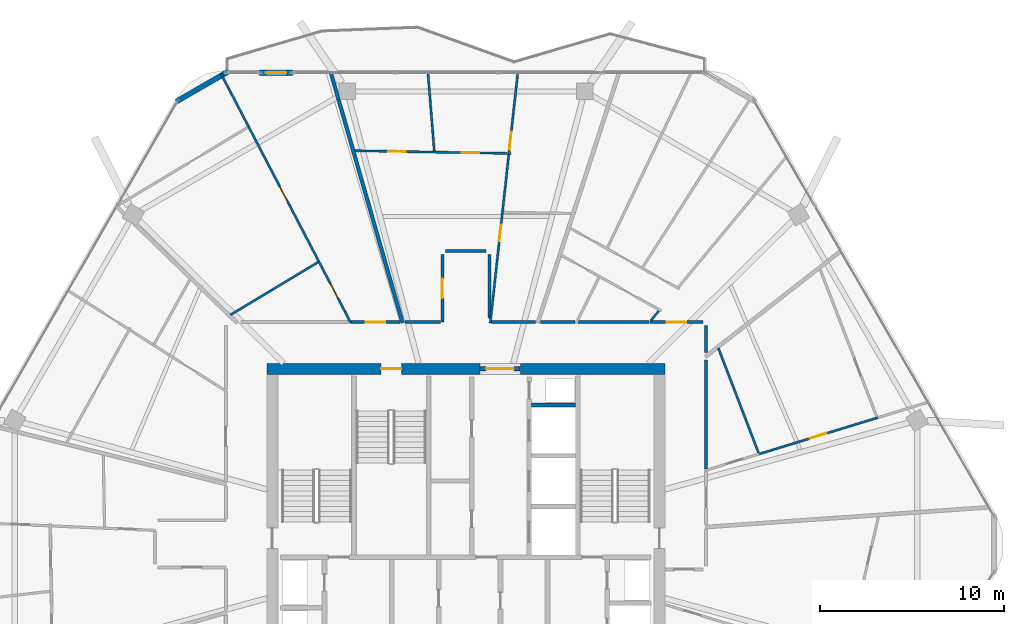
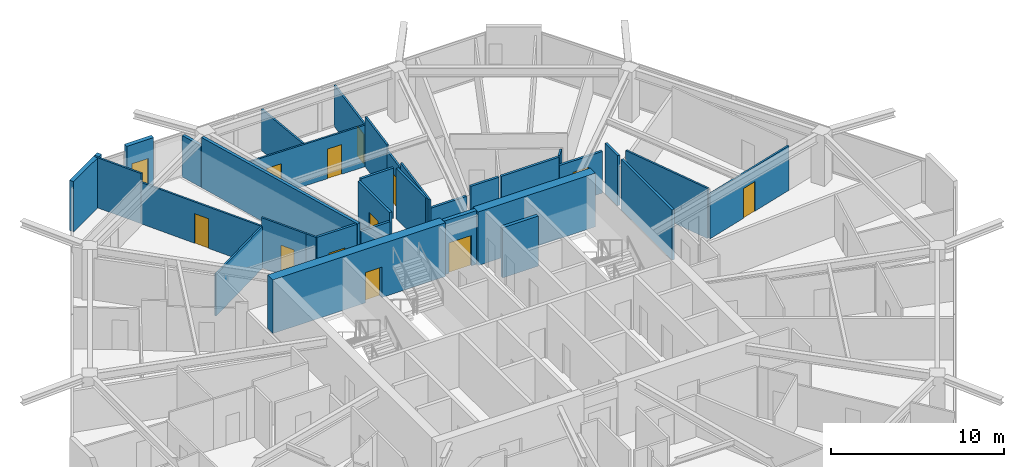
# One storey, part 23 of 26: 33 walls, 13 doors, 13 openings.
"""IFC4 building model written with IfcOpenShell, lengths in metres."""

from ifc_helpers import new_model, si_unit, direction, frame, frame_2d, origin, place, context, subcontext, project, spatial, rectangle, extrude, material, layer, layer_set, type_object, element, fill, save


model = new_model("IFC4")

# Units and contexts
model_context = context("Model", 3, precision=1e-05, world=origin(), true_north=direction((0.0, 1.0)))
body_context = subcontext(model_context, "Body", "Model", "MODEL_VIEW")
ifc_project = project(units=[si_unit("LENGTHUNIT", "METRE"), si_unit("AREAUNIT", "SQUARE_METRE"), si_unit("VOLUMEUNIT", "CUBIC_METRE"), si_unit("PLANEANGLEUNIT", "RADIAN"), si_unit("MASSUNIT", "GRAM", prefix="KILO")], contexts=[model_context])

# Site, building, storey
site_placement = place(None, origin())
site = spatial("IfcSite", under=ifc_project, at=site_placement, CompositionType="ELEMENT")
building_placement = place(site_placement, origin())
building = spatial("IfcBuilding", under=site, at=building_placement, Name="Zuhravey Tower", CompositionType="ELEMENT")
storey_placement = place(building_placement, frame((0.0, 0.0, 242.60009765625)))
storey = spatial("IfcBuildingStorey", under=building, at=storey_placement, Name="L61", CompositionType="ELEMENT", Elevation=242.60009765625)

# Wall
ifc_material_1 = material(Name="Concrete C50/60", Category="concrete")
ifc_layer_1 = layer(ifc_material_1, 0.60009765625)
ifc_layer_set_1 = layer_set([ifc_layer_1], Name="Concrete C50/60")
wall_type_1 = type_object("IfcWallType", Name="Core Shear Wall 600", PredefinedType="SHEAR", material=ifc_layer_set_1)
wall_1_placement = place(storey_placement, frame((46.800048828125, 41.5, 0.0), z_axis=(0.0, 0.0, 1.0), x_axis=(-1.0, 0.0, 0.0)))
element("IfcWall", 1, at=wall_1_placement, inside=storey, type_object=wall_type_1, Name="L61 North-East Core Shear Wall CW60", PredefinedType="SHEAR", context=body_context, shape_type="SweptSolid", body=[
    extrude(rectangle(XDim=7.85009765625, YDim=0.60009765625, at=frame_2d((3.925048828125, 0.0))), origin(), (0.0, 0.0, 1.0), 3.7998046875),
])

# Wall, opening, door
wall_2_placement = place(storey_placement, frame((36.75, 41.5, 0.0), z_axis=(0.0, 0.0, 1.0), x_axis=(-1.0, 0.0, 0.0)))
wall_2 = element("IfcWall", 2, at=wall_2_placement, inside=storey, type_object=wall_type_1, Name="L61 North-West Core Shear Wall CW60", PredefinedType="SHEAR", context=body_context, shape_type="SweptSolid", body=[
    extrude(rectangle(XDim=11.550048828125, YDim=0.60009765625, at=frame_2d((5.77490234375, 0.0))), origin(), (0.0, 0.0, 1.0), 3.7998046875),
])
opening_1_placement = place(wall_2_placement, frame((4.25, 0.0, 0.0)))
opening_1 = element("IfcOpeningElement", 3, at=opening_1_placement, cuts=wall_2, Name="Opening STD1", PredefinedType="OPENING", context=body_context, shape_type="SweptSolid", body=[
    extrude(rectangle(XDim=1.10009765625, YDim=2.14990234375, at=frame_2d((0.550048828125, 1.074951171875))), frame((0.0, 0.31201171875, 0.0), z_axis=(0.0, -1.0, 0.0), x_axis=(1.0, 0.0, 0.0)), (0.0, 0.0, 1.0), 0.6240234375),
])
ifc_material_2 = material(Name="Galvanised fire-rated steel leaf", Category="steel")
door_type_1 = type_object("IfcDoorType", Name="Protected Stair Fire Door 1100x2150", OperationType="NOTDEFINED", PredefinedType="USERDEFINED", material=ifc_material_2)
door_1_placement = place(opening_1_placement, origin())
door_1 = element("IfcDoor", 4, at=door_1_placement, inside=storey, type_object=door_type_1, Name="L61 Stair ST3 Door", ObjectType="EXITDOOR", OperationType="SINGLE_SWING_RIGHT", OverallHeight=2.14990234375, OverallWidth=1.10009765625, PredefinedType="USERDEFINED", context=body_context, shape_type="SweptSolid", body=[
    extrude(rectangle(XDim=1.10009765625, YDim=2.14990234375, at=frame_2d((0.550048828125, 1.074951171875))), frame((0.0, 0.02490234375, 0.0), z_axis=(0.0, -1.0, 0.0), x_axis=(1.0, 0.0, 0.0)), (0.0, 0.0, 1.0), 0.050048828125),
])
fill(opening_1, door_1)

ifc_material_3 = material(Name="Gypsum fire-rated stud partition")
ifc_layer_2 = layer(ifc_material_3, 0.159912109375)
ifc_layer_set_2 = layer_set([ifc_layer_2], Name="Gypsum fire-rated stud partition")
wall_type_2 = type_object("IfcWallType", Name="Corridor Fire Partition 160", PredefinedType="PARTITIONING", material=ifc_layer_set_2)
wall_3_placement = place(storey_placement, frame((32.415771484375, 44.030029296875, 0.0), z_axis=(0.0, 0.0, 1.0), x_axis=(-1.0, 0.0, 0.0)))
wall_3 = element("IfcWall", 5, at=wall_3_placement, inside=storey, type_object=wall_type_2, Name="L61 IW16 Partition 024", PredefinedType="PARTITIONING", context=body_context, shape_type="SweptSolid", body=[
    extrude(rectangle(XDim=2.660888671875, YDim=0.159912109375, at=frame_2d((1.33056640625, 0.0))), origin(), (0.0, 0.0, 1.0), 3.5498046875),
])
opening_2_placement = place(wall_3_placement, frame((0.805419921875, 0.0, 0.0)))
opening_2 = element("IfcOpeningElement", 6, at=opening_2_placement, cuts=wall_3, Name="Opening APD1", PredefinedType="OPENING", context=body_context, shape_type="SweptSolid", body=[
    extrude(rectangle(XDim=1.050048828125, YDim=2.14990234375, at=frame_2d((0.52490234375, 1.074951171875))), frame((0.0, 0.092041015625, 0.0), z_axis=(0.0, -1.0, 0.0), x_axis=(1.0, 0.0, 0.0)), (0.0, 0.0, 1.0), 0.183837890625),
])
ifc_material_4 = material(Name="Solid-core oak fire-rated leaf")
door_type_2 = type_object("IfcDoorType", Name="Apartment Entrance Fire Door 1050x2150", OperationType="NOTDEFINED", PredefinedType="DOOR", material=ifc_material_4)
door_2_placement = place(opening_2_placement, frame((1.050048828125, 0.0, 0.0), z_axis=(0.0, 0.0, 1.0), x_axis=(-1.0, 0.0, 0.0)))
door_2 = element("IfcDoor", 7, at=door_2_placement, inside=storey, type_object=door_type_2, Name="L61 Door 024.1", OperationType="SINGLE_SWING_LEFT", OverallHeight=2.14990234375, OverallWidth=1.050048828125, PredefinedType="DOOR", context=body_context, shape_type="SweptSolid", body=[
    extrude(rectangle(XDim=1.050048828125, YDim=2.14990234375, at=frame_2d((0.52490234375, 1.074951171875))), frame((0.0, 0.02490234375, 0.0), z_axis=(0.0, -1.0, 0.0), x_axis=(1.0, 0.0, 0.0)), (0.0, 0.0, 1.0), 0.050048828125),
])
fill(opening_2, door_2)

wall_4_placement = place(storey_placement, frame((48.849365234375, 44.030029296875, 0.0), z_axis=(0.0, 0.0, 1.0), x_axis=(-1.0, 0.0, 0.0)))
wall_4 = element("IfcWall", 8, at=wall_4_placement, inside=storey, type_object=wall_type_2, Name="L61 IW16 Partition 063", PredefinedType="PARTITIONING", context=body_context, shape_type="SweptSolid", body=[
    extrude(rectangle(XDim=2.8642578125, YDim=0.159912109375, at=frame_2d((1.43212890625, 0.0))), origin(), (0.0, 0.0, 1.0), 2.949951171875),
])
opening_3_placement = place(wall_4_placement, frame((0.906982421875, 0.0, 0.0)))
opening_3 = element("IfcOpeningElement", 9, at=opening_3_placement, cuts=wall_4, Name="Opening APD1", PredefinedType="OPENING", context=body_context, shape_type="SweptSolid", body=[
    extrude(rectangle(XDim=1.050048828125, YDim=2.14990234375, at=frame_2d((0.52490234375, 1.074951171875))), frame((0.0, 0.092041015625, 0.0), z_axis=(0.0, -1.0, 0.0), x_axis=(1.0, 0.0, 0.0)), (0.0, 0.0, 1.0), 0.183837890625),
])
door_3_placement = place(opening_3_placement, frame((1.050048828125, 0.0, 0.0), z_axis=(0.0, 0.0, 1.0), x_axis=(-1.0, 0.0, 0.0)))
door_3 = element("IfcDoor", 10, at=door_3_placement, inside=storey, type_object=door_type_2, Name="L61 Door 063.1", OperationType="SINGLE_SWING_LEFT", OverallHeight=2.14990234375, OverallWidth=1.050048828125, PredefinedType="DOOR", context=body_context, shape_type="SweptSolid", body=[
    extrude(rectangle(XDim=1.050048828125, YDim=2.14990234375, at=frame_2d((0.52490234375, 1.074951171875))), frame((0.0, 0.02490234375, 0.0), z_axis=(0.0, -1.0, 0.0), x_axis=(1.0, 0.0, 0.0)), (0.0, 0.0, 1.0), 0.050048828125),
])
fill(opening_3, door_3)

wall_5_placement = place(storey_placement, frame((34.719970703125, 47.699951171875, 0.0), z_axis=(0.0, 0.0, 1.0), x_axis=(0.0, -1.0, 0.0)))
wall_5 = element("IfcWall", 11, at=wall_5_placement, inside=storey, type_object=wall_type_2, Name="L61 IW16 Partition 068", PredefinedType="PARTITIONING", context=body_context, shape_type="SweptSolid", body=[
    extrude(rectangle(XDim=3.669921875, YDim=0.159912109375, at=frame_2d((1.8349609375, 0.0))), origin(), (0.0, 0.0, 1.0), 3.5498046875),
])
opening_4_placement = place(wall_5_placement, frame((1.31005859375, 0.0, 0.0)))
opening_4 = element("IfcOpeningElement", 12, at=opening_4_placement, cuts=wall_5, Name="Opening APD1", PredefinedType="OPENING", context=body_context, shape_type="SweptSolid", body=[
    extrude(rectangle(XDim=1.050048828125, YDim=2.14990234375, at=frame_2d((0.52490234375, 1.074951171875))), frame((0.0, 0.092041015625, 0.0), z_axis=(0.0, -1.0, 0.0), x_axis=(1.0, 0.0, 0.0)), (0.0, 0.0, 1.0), 0.183837890625),
])
door_4_placement = place(opening_4_placement, frame((1.050048828125, 0.0, 0.0), z_axis=(0.0, 0.0, 1.0), x_axis=(-1.0, 0.0, 0.0)))
door_4 = element("IfcDoor", 13, at=door_4_placement, inside=storey, type_object=door_type_2, Name="L61 Door 068.1", OperationType="SINGLE_SWING_RIGHT", OverallHeight=2.14990234375, OverallWidth=1.050048828125, PredefinedType="DOOR", context=body_context, shape_type="SweptSolid", body=[
    extrude(rectangle(XDim=1.050048828125, YDim=2.14990234375, at=frame_2d((0.52490234375, 1.074951171875))), frame((0.0, 0.02490234375, 0.0), z_axis=(0.0, -1.0, 0.0), x_axis=(1.0, 0.0, 0.0)), (0.0, 0.0, 1.0), 0.050048828125),
])
fill(opening_4, door_4)

# Walls
wall_6_placement = place(storey_placement, frame((49.030029296875, 36.064697265625, 0.0), z_axis=(0.0, 0.0, 1.0), x_axis=(0.0, 1.0, 0.0)))
element("IfcWall", 14, at=wall_6_placement, inside=storey, type_object=wall_type_2, Name="L61 IW16 Partition 139", PredefinedType="PARTITIONING", context=body_context, shape_type="SweptSolid", body=[
    extrude(rectangle(XDim=5.908447265625, YDim=0.159912109375, at=frame_2d((2.9541015625, 0.0))), origin(), (0.0, 0.0, 1.0), 3.5498046875),
])
wall_7_placement = place(storey_placement, frame((49.030029296875, 42.39013671875, 0.0), z_axis=(0.0, 0.0, 1.0), x_axis=(0.0, 1.0, 0.0)))
element("IfcWall", 15, at=wall_7_placement, inside=storey, type_object=wall_type_2, Name="L61 IW16 Partition 140", PredefinedType="PARTITIONING", context=body_context, shape_type="SweptSolid", body=[
    extrude(rectangle(XDim=1.459228515625, YDim=0.159912109375, at=frame_2d((0.7294921875, 0.0))), origin(), (0.0, 0.0, 1.0), 3.5498046875),
])
wall_8_placement = place(storey_placement, frame((45.93310546875, 44.030029296875, 0.0), z_axis=(0.0, 0.0, 1.0), x_axis=(-1.0, 0.0, 0.0)))
element("IfcWall", 16, at=wall_8_placement, inside=storey, type_object=wall_type_2, Name="L61 IW16 Partition 141", PredefinedType="PARTITIONING", context=body_context, shape_type="SweptSolid", body=[
    extrude(rectangle(XDim=3.852294921875, YDim=0.159912109375, at=frame_2d((1.92626953125, 0.0))), origin(), (0.0, 0.0, 1.0), 3.5498046875),
])
wall_9_placement = place(storey_placement, frame((41.9287109375, 44.030029296875, 0.0), z_axis=(0.0, 0.0, 1.0), x_axis=(-1.0, 0.0, 0.0)))
element("IfcWall", 17, at=wall_9_placement, inside=storey, type_object=wall_type_2, Name="L61 IW16 Partition 142", PredefinedType="PARTITIONING", context=body_context, shape_type="SweptSolid", body=[
    extrude(rectangle(XDim=1.88232421875, YDim=0.159912109375, at=frame_2d((0.941162109375, 0.0))), origin(), (0.0, 0.0, 1.0), 3.5498046875),
])
wall_10_placement = place(storey_placement, frame((37.280029296875, 44.25341796875, 0.0), z_axis=(0.0, 0.0, 1.0), x_axis=(0.0, 1.0, 0.0)))
element("IfcWall", 18, at=wall_10_placement, inside=storey, type_object=wall_type_2, Name="L61 IW16 Partition 143", PredefinedType="PARTITIONING", context=body_context, shape_type="SweptSolid", body=[
    extrude(rectangle(XDim=3.446533203125, YDim=0.159912109375, at=frame_2d((1.72314453125, 0.0))), origin(), (0.0, 0.0, 1.0), 3.5498046875),
])
wall_11_placement = place(storey_placement, frame((37.10009765625, 47.8798828125, 0.0), z_axis=(0.0, 0.0, 1.0), x_axis=(-1.0, 0.0, 0.0)))
element("IfcWall", 19, at=wall_11_placement, inside=storey, type_object=wall_type_2, Name="L61 IW16 Partition 144", PredefinedType="PARTITIONING", context=body_context, shape_type="SweptSolid", body=[
    extrude(rectangle(XDim=2.2001953125, YDim=0.159912109375, at=frame_2d((1.10009765625, 0.0))), origin(), (0.0, 0.0, 1.0), 3.5498046875),
])
wall_12_placement = place(storey_placement, frame((34.632080078125, 44.030029296875, 0.0), z_axis=(0.0, 0.0, 1.0), x_axis=(-1.0, 0.0, 0.0)))
element("IfcWall", 20, at=wall_12_placement, inside=storey, type_object=wall_type_2, Name="L61 IW16 Partition 145", PredefinedType="PARTITIONING", context=body_context, shape_type="SweptSolid", body=[
    extrude(rectangle(XDim=1.947509765625, YDim=0.159912109375, at=frame_2d((0.9736328125, 0.0))), origin(), (0.0, 0.0, 1.0), 2.949951171875),
])
wall_13_placement = place(storey_placement, frame((39.772216796875, 44.030029296875, 0.0), z_axis=(0.0, 0.0, 1.0), x_axis=(-1.0, 0.0, 0.0)))
element("IfcWall", 21, at=wall_13_placement, inside=storey, type_object=wall_type_2, Name="L61 IW16 Partition 146", PredefinedType="PARTITIONING", context=body_context, shape_type="SweptSolid", body=[
    extrude(rectangle(XDim=2.380126953125, YDim=0.159912109375, at=frame_2d((1.18994140625, 0.0))), origin(), (0.0, 0.0, 1.0), 2.949951171875),
])
ifc_material_5 = material(Name="Precast concrete C40/50", Category="concrete")
ifc_layer_3 = layer(ifc_material_5, 0.280029296875)
ifc_layer_set_3 = layer_set([ifc_layer_3], Name="Precast concrete C40/50")
wall_type_3 = type_object("IfcWallType", Name="Crown Architectural Wall 280", PredefinedType="SOLIDWALL", material=ifc_layer_set_3)
wall_14_placement = place(storey_placement, frame((20.285400390625, 56.003662109375, 0.0), z_axis=(0.0, 0.0, 1.0), x_axis=(0.866028773314, 0.499994163758, 0.0)))
element("IfcWall", 22, at=wall_14_placement, inside=storey, type_object=wall_type_3, Name="L61 Rounded Corner Closure Wall EW28-08", PredefinedType="SOLIDWALL", context=body_context, shape_type="SweptSolid", body=[
    extrude(rectangle(XDim=3.21484375, YDim=0.280029296875, at=frame_2d((1.607421875, 0.0))), origin(), (0.0, 0.0, 1.0), 3.5498046875),
])

# Wall, opening, door
wall_15_placement = place(storey_placement, frame((24.80419921875, 57.563720703125, 0.0), z_axis=(0.0, 0.0, 1.0), x_axis=(1.0, 0.0, 0.0)))
wall_15 = element("IfcWall", 23, at=wall_15_placement, inside=storey, type_object=wall_type_3, Name="L61 Face 2 Facade Pier EW28-1", PredefinedType="SOLIDWALL", context=body_context, shape_type="SweptSolid", body=[
    extrude(rectangle(XDim=1.789794921875, YDim=0.280029296875, at=frame_2d((0.89501953125, 0.0))), origin(), (0.0, 0.0, 1.0), 3.5498046875),
])
opening_5_placement = place(wall_15_placement, frame((0.344970703125, 0.0, 0.0)))
opening_5 = element("IfcOpeningElement", 24, at=opening_5_placement, cuts=wall_15, Name="Opening BLD1", PredefinedType="OPENING", context=body_context, shape_type="SweptSolid", body=[
    extrude(rectangle(XDim=1.10009765625, YDim=2.199951171875, at=frame_2d((0.550048828125, 1.10009765625))), frame((0.0, 0.152099609375, 0.0), z_axis=(0.0, -1.0, 0.0), x_axis=(1.0, 0.0, 0.0)), (0.0, 0.0, 1.0), 0.303955078125),
])
ifc_material_6 = material(Name="Thermally broken aluminium and low-E glass", Category="aluminium")
door_type_3 = type_object("IfcDoorType", Name="Balcony & Sky-Tray Glazed Door 1100x2200", OperationType="NOTDEFINED", PredefinedType="DOOR", material=ifc_material_6)
door_5_placement = place(opening_5_placement, frame((1.10009765625, 0.0, 0.0), z_axis=(0.0, 0.0, 1.0), x_axis=(-1.0, 0.0, 0.0)))
door_5 = element("IfcDoor", 25, at=door_5_placement, inside=storey, type_object=door_type_3, Name="L61 Face 2 Wave Balcony Door", OperationType="SINGLE_SWING_RIGHT", OverallHeight=2.199951171875, OverallWidth=1.10009765625, PredefinedType="DOOR", context=body_context, shape_type="SweptSolid", body=[
    extrude(rectangle(XDim=1.10009765625, YDim=2.199951171875, at=frame_2d((0.550048828125, 1.10009765625))), frame((0.0, 0.02490234375, 0.0), z_axis=(0.0, -1.0, 0.0), x_axis=(1.0, 0.0, 0.0)), (0.0, 0.0, 1.0), 0.050048828125),
])
fill(opening_5, door_5)

ifc_layer_4 = layer(ifc_material_1, 0.25)
ifc_layer_set_4 = layer_set([ifc_layer_4], Name="Concrete C50/60")
wall_type_4 = type_object("IfcWallType", Name="Firefighting Shaft & Stair Wall 250", PredefinedType="SOLIDWALL", material=ifc_layer_set_4)
wall_16_placement = place(storey_placement, frame((36.760009765625, 41.5, 0.0), z_axis=(0.0, 0.0, 1.0), x_axis=(1.0, 0.0, 0.0)))
wall_16 = element("IfcWall", 26, at=wall_16_placement, inside=storey, type_object=wall_type_4, Name="L61 FW25 Shaft Wall 002", PredefinedType="SOLIDWALL", context=body_context, shape_type="SweptSolid", body=[
    extrude(rectangle(XDim=2.179931640625, YDim=0.25, at=frame_2d((1.08984375, 0.0))), origin(), (0.0, 0.0, 1.0), 3.7998046875),
])
opening_6_placement = place(wall_16_placement, frame((0.340087890625, 0.0, 0.0)))
opening_6 = element("IfcOpeningElement", 27, at=opening_6_placement, cuts=wall_16, Name="Opening FFD1", PredefinedType="OPENING", context=body_context, shape_type="SweptSolid", body=[
    extrude(rectangle(XDim=1.5, YDim=2.14990234375, at=frame_2d((0.75, 1.074951171875))), frame((0.0, 0.136962890625, 0.0), z_axis=(0.0, -1.0, 0.0), x_axis=(1.0, 0.0, 0.0)), (0.0, 0.0, 1.0), 0.27392578125),
])
door_type_4 = type_object("IfcDoorType", Name="Firefighting Lobby Double Door 1500x2150", OperationType="DOUBLE_DOOR_SINGLE_SWING", PredefinedType="DOOR", material=ifc_material_2)
door_6_placement = place(opening_6_placement, origin())
door_6 = element("IfcDoor", 28, at=door_6_placement, inside=storey, type_object=door_type_4, Name="L61 North Lift Lobby Exit Door", OperationType="DOUBLE_DOOR_SINGLE_SWING", OverallHeight=2.14990234375, OverallWidth=1.5, PredefinedType="DOOR", context=body_context, shape_type="SweptSolid", body=[
    extrude(rectangle(XDim=1.5, YDim=2.14990234375, at=frame_2d((0.75, 1.074951171875))), frame((0.0, 0.02490234375, 0.0), z_axis=(0.0, -1.0, 0.0), x_axis=(1.0, 0.0, 0.0)), (0.0, 0.0, 1.0), 0.050048828125),
])
fill(opening_6, door_6)

# Walls
ifc_material_7 = material(Name="Gypsum double-stud party assembly")
ifc_layer_5 = layer(ifc_material_7, 0.199951171875)
ifc_layer_set_5 = layer_set([ifc_layer_5], Name="Gypsum double-stud party assembly")
wall_type_5 = type_object("IfcWallType", Name="Inter-Tenancy Party Wall 200", PredefinedType="PARTITIONING", material=ifc_layer_set_5)
wall_17_placement = place(storey_placement, frame((32.56201171875, 43.989990234375, 0.0), z_axis=(0.0, 0.0, 1.0), x_axis=(-0.275638433315, 0.96126138697, 0.0)))
element("IfcWall", 29, at=wall_17_placement, inside=storey, type_object=wall_type_5, Name="L61 IW20 Partition 073", PredefinedType="PARTITIONING", context=body_context, shape_type="SweptSolid", body=[
    extrude(rectangle(XDim=12.582763671875, YDim=0.199951171875, at=frame_2d((6.29150390625, 0.0))), origin(), (0.0, 0.0, 1.0), 3.5498046875),
])
wall_18_placement = place(storey_placement, frame((29.089111328125, 56.101318359375, 0.0), z_axis=(0.0, 0.0, 1.0), x_axis=(-0.27554766027, 0.961287411194, 0.0)))
element("IfcWall", 30, at=wall_18_placement, inside=storey, type_object=wall_type_5, Name="L61 IW20 Partition 074", PredefinedType="PARTITIONING", context=body_context, shape_type="SweptSolid", body=[
    extrude(rectangle(XDim=1.521240234375, YDim=0.199951171875, at=frame_2d((0.7607421875, 0.0))), origin(), (0.0, 0.0, 1.0), 2.929931640625),
])
ifc_material_8 = material(Name="Gypsum acoustic stud assembly")
ifc_layer_6 = layer(ifc_material_8, 0.219970703125)
ifc_layer_set_6 = layer_set([ifc_layer_6], Name="Gypsum acoustic stud assembly")
wall_type_6 = type_object("IfcWallType", Name="School Acoustic Compartment Wall 220", PredefinedType="PARTITIONING", material=ifc_layer_set_6)
wall_19_placement = place(storey_placement, frame((39.55810546875, 39.52490234375, 0.0), z_axis=(0.0, 0.0, 1.0), x_axis=(1.0, 0.0, 0.0)))
element("IfcWall", 31, at=wall_19_placement, inside=storey, type_object=wall_type_6, Name="L61 IW22 Partition 072", PredefinedType="PARTITIONING", context=body_context, shape_type="SweptSolid", body=[
    extrude(rectangle(XDim=2.3837890625, YDim=0.219970703125, at=frame_2d((1.19189453125, 0.0))), origin(), (0.0, 0.0, 1.0), 3.5498046875),
])

# Wall, opening, door
ifc_material_9 = material(Name="Gypsum metal-stud partition")
ifc_layer_7 = layer(ifc_material_9, 0.1201171875)
ifc_layer_set_7 = layer_set([ifc_layer_7], Name="Gypsum metal-stud partition")
wall_type_7 = type_object("IfcWallType", Name="Unit Internal Partition 120", PredefinedType="PARTITIONING", material=ifc_layer_set_7)
wall_20_placement = place(storey_placement, frame((29.435302734375, 44.60009765625, 0.0), z_axis=(0.0, 0.0, 1.0), x_axis=(-0.462075917285, 0.886840372708, 0.0)))
wall_20 = element("IfcWall", 32, at=wall_20_placement, inside=storey, type_object=wall_type_7, Name="L61 IW12 Partition 021", PredefinedType="PARTITIONING", context=body_context, shape_type="SweptSolid", body=[
    extrude(rectangle(XDim=3.081787109375, YDim=0.1201171875, at=frame_2d((1.541015625, 0.0))), origin(), (0.0, 0.0, 1.0), 3.5498046875),
])
opening_7_placement = place(wall_20_placement, frame((0.844482421875, 0.0, 0.0)))
opening_7 = element("IfcOpeningElement", 33, at=opening_7_placement, cuts=wall_20, Name="Opening WCD1", PredefinedType="OPENING", context=body_context, shape_type="SweptSolid", body=[
    extrude(rectangle(XDim=0.89990234375, YDim=2.10009765625, at=frame_2d((0.449951171875, 1.050048828125))), frame((0.0, 0.072021484375, 0.0), z_axis=(0.0, -1.0, 0.0), x_axis=(1.0, 0.0, 0.0)), (0.0, 0.0, 1.0), 0.14404296875),
])
ifc_material_10 = material(Name="Moisture-resistant timber leaf", Category="wood")
door_type_5 = type_object("IfcDoorType", Name="Bathroom & WC Internal Door 900x2100", OperationType="NOTDEFINED", PredefinedType="DOOR", material=ifc_material_10)
door_7_placement = place(opening_7_placement, origin())
door_7 = element("IfcDoor", 34, at=door_7_placement, inside=storey, type_object=door_type_5, Name="Apartment L61-01 Bathroom Door", OperationType="SINGLE_SWING_RIGHT", OverallHeight=2.10009765625, OverallWidth=0.89990234375, PredefinedType="DOOR", context=body_context, shape_type="SweptSolid", body=[
    extrude(rectangle(XDim=0.89990234375, YDim=2.10009765625, at=frame_2d((0.449951171875, 1.050048828125))), frame((0.0, 0.02490234375, 0.0), z_axis=(0.0, -1.0, 0.0), x_axis=(1.0, 0.0, 0.0)), (0.0, 0.0, 1.0), 0.050048828125),
])
fill(opening_7, door_7)

wall_21_placement = place(storey_placement, frame((28.01123046875, 47.333251953125, 0.0), z_axis=(0.0, 0.0, 1.0), x_axis=(-0.46205322058, 0.886852198143, 0.0)))
wall_21 = element("IfcWall", 35, at=wall_21_placement, inside=storey, type_object=wall_type_7, Name="L61 IW12 Partition 022", PredefinedType="PARTITIONING", context=body_context, shape_type="SweptSolid", body=[
    extrude(rectangle(XDim=8.250732421875, YDim=0.1201171875, at=frame_2d((4.12548828125, 0.0))), origin(), (0.0, 0.0, 1.0), 2.929931640625),
])
opening_8_placement = place(wall_21_placement, frame((3.625244140625, 0.0, 0.0)))
opening_8 = element("IfcOpeningElement", 36, at=opening_8_placement, cuts=wall_21, Name="Opening IND1", PredefinedType="OPENING", context=body_context, shape_type="SweptSolid", body=[
    extrude(rectangle(XDim=0.949951171875, YDim=2.10009765625, at=frame_2d((0.47509765625, 1.050048828125))), frame((0.0, 0.072021484375, 0.0), z_axis=(0.0, -1.0, 0.0), x_axis=(1.0, 0.0, 0.0)), (0.0, 0.0, 1.0), 0.14404296875),
])
ifc_material_11 = material(Name="Painted engineered timber leaf", Category="wood")
door_type_6 = type_object("IfcDoorType", Name="Internal Room & Bedroom Door 950x2100", OperationType="NOTDEFINED", PredefinedType="DOOR", material=ifc_material_11)
door_8_placement = place(opening_8_placement, origin())
door_8 = element("IfcDoor", 37, at=door_8_placement, inside=storey, type_object=door_type_6, Name="Apartment L61-01 Home Office Door", OperationType="SINGLE_SWING_LEFT", OverallHeight=2.10009765625, OverallWidth=0.949951171875, PredefinedType="DOOR", context=body_context, shape_type="SweptSolid", body=[
    extrude(rectangle(XDim=0.949951171875, YDim=2.10009765625, at=frame_2d((0.47509765625, 1.050048828125))), frame((0.0, 0.02490234375, 0.0), z_axis=(0.0, -1.0, 0.0), x_axis=(1.0, 0.0, 0.0)), (0.0, 0.0, 1.0), 0.050048828125),
])
fill(opening_8, door_8)

wall_22_placement = place(storey_placement, frame((51.926025390625, 36.881103515625, 0.0), z_axis=(0.0, 0.0, 1.0), x_axis=(0.956092574373, 0.293064820866, 0.0)))
wall_22 = element("IfcWall", 38, at=wall_22_placement, inside=storey, type_object=wall_type_7, Name="L61 IW12 Partition 058", PredefinedType="PARTITIONING", context=body_context, shape_type="SweptSolid", body=[
    extrude(rectangle(XDim=6.705322265625, YDim=0.1201171875, at=frame_2d((3.3525390625, 0.0))), origin(), (0.0, 0.0, 1.0), 3.14990234375),
])
opening_9_placement = place(wall_22_placement, frame((2.852783203125, 0.0, 0.0)))
opening_9 = element("IfcOpeningElement", 39, at=opening_9_placement, cuts=wall_22, Name="Opening IND1", PredefinedType="OPENING", context=body_context, shape_type="SweptSolid", body=[
    extrude(rectangle(XDim=0.949951171875, YDim=2.10009765625, at=frame_2d((0.47509765625, 1.050048828125))), frame((0.0, 0.072021484375, 0.0), z_axis=(0.0, -1.0, 0.0), x_axis=(1.0, 0.0, 0.0)), (0.0, 0.0, 1.0), 0.14404296875),
])
door_9_placement = place(opening_9_placement, origin())
door_9 = element("IfcDoor", 40, at=door_9_placement, inside=storey, type_object=door_type_6, Name="Apartment L61-09 Home Office Door", OperationType="SINGLE_SWING_LEFT", OverallHeight=2.10009765625, OverallWidth=0.949951171875, PredefinedType="DOOR", context=body_context, shape_type="SweptSolid", body=[
    extrude(rectangle(XDim=0.949951171875, YDim=2.10009765625, at=frame_2d((0.47509765625, 1.050048828125))), frame((0.0, 0.02490234375, 0.0), z_axis=(0.0, -1.0, 0.0), x_axis=(1.0, 0.0, 0.0)), (0.0, 0.0, 1.0), 0.050048828125),
])
fill(opening_9, door_9)

# Wall, openings, doors
wall_23_placement = place(storey_placement, frame((38.431884765625, 53.185302734375, 0.0), z_axis=(0.0, 0.0, 1.0), x_axis=(-0.999847834671, 0.017444411801, 0.0)))
wall_23 = element("IfcWall", 41, at=wall_23_placement, inside=storey, type_object=wall_type_7, Name="L61 IW12 Partition 064", PredefinedType="PARTITIONING", context=body_context, shape_type="SweptSolid", body=[
    extrude(rectangle(XDim=8.453125, YDim=0.1201171875, at=frame_2d((4.2265625, 0.0))), origin(), (0.0, 0.0, 1.0), 2.949951171875),
])
opening_10_placement = place(wall_23_placement, frame((1.718994140625, 0.0, 0.0)))
opening_10 = element("IfcOpeningElement", 42, at=opening_10_placement, cuts=wall_23, Name="Opening IND1", PredefinedType="OPENING", context=body_context, shape_type="SweptSolid", body=[
    extrude(rectangle(XDim=0.949951171875, YDim=2.10009765625, at=frame_2d((0.47509765625, 1.050048828125))), frame((0.0, 0.072021484375, 0.0), z_axis=(0.0, -1.0, 0.0), x_axis=(1.0, 0.0, 0.0)), (0.0, 0.0, 1.0), 0.14404296875),
])
opening_11_placement = place(wall_23_placement, frame((5.705078125, 0.0, 0.0)))
opening_11 = element("IfcOpeningElement", 43, at=opening_11_placement, cuts=wall_23, Name="Opening IND1", PredefinedType="OPENING", context=body_context, shape_type="SweptSolid", body=[
    extrude(rectangle(XDim=0.949951171875, YDim=2.10009765625, at=frame_2d((0.47509765625, 1.050048828125))), frame((0.0, 0.072021484375, 0.0), z_axis=(0.0, -1.0, 0.0), x_axis=(1.0, 0.0, 0.0)), (0.0, 0.0, 1.0), 0.14404296875),
])
door_10_placement = place(opening_10_placement, frame((0.949951171875, 0.0, 0.0), z_axis=(0.0, 0.0, 1.0), x_axis=(-1.0, 0.0, 0.0)))
door_10 = element("IfcDoor", 44, at=door_10_placement, inside=storey, type_object=door_type_6, Name="Apartment L61-11 Family Study Door", OperationType="SINGLE_SWING_RIGHT", OverallHeight=2.10009765625, OverallWidth=0.949951171875, PredefinedType="DOOR", context=body_context, shape_type="SweptSolid", body=[
    extrude(rectangle(XDim=0.949951171875, YDim=2.10009765625, at=frame_2d((0.47509765625, 1.050048828125))), frame((0.0, 0.02490234375, 0.0), z_axis=(0.0, -1.0, 0.0), x_axis=(1.0, 0.0, 0.0)), (0.0, 0.0, 1.0), 0.050048828125),
])
fill(opening_10, door_10)
door_11_placement = place(opening_11_placement, frame((0.949951171875, 0.0, 0.0), z_axis=(0.0, 0.0, 1.0), x_axis=(-1.0, 0.0, 0.0)))
door_11 = element("IfcDoor", 45, at=door_11_placement, inside=storey, type_object=door_type_6, Name="Apartment L61-11 Dining Room Door", OperationType="SINGLE_SWING_LEFT", OverallHeight=2.10009765625, OverallWidth=0.949951171875, PredefinedType="DOOR", context=body_context, shape_type="SweptSolid", body=[
    extrude(rectangle(XDim=0.949951171875, YDim=2.10009765625, at=frame_2d((0.47509765625, 1.050048828125))), frame((0.0, 0.02490234375, 0.0), z_axis=(0.0, -1.0, 0.0), x_axis=(1.0, 0.0, 0.0)), (0.0, 0.0, 1.0), 0.050048828125),
])
fill(opening_11, door_11)

# Wall, opening, door
wall_24_placement = place(storey_placement, frame((37.765625, 48.044677734375, 0.0), z_axis=(0.0, 0.0, 1.0), x_axis=(0.109378163954, 0.994000209884, 0.0)))
wall_24 = element("IfcWall", 46, at=wall_24_placement, inside=storey, type_object=wall_type_7, Name="L61 IW12 Partition 065", PredefinedType="PARTITIONING", context=body_context, shape_type="SweptSolid", body=[
    extrude(rectangle(XDim=1.984375, YDim=0.1201171875, at=frame_2d((0.9921875, 0.0))), origin(), (0.0, 0.0, 1.0), 3.14990234375),
])
opening_12_placement = place(wall_24_placement, frame((0.38330078125, 0.0, 0.0)))
opening_12 = element("IfcOpeningElement", 47, at=opening_12_placement, cuts=wall_24, Name="Opening WCD1", PredefinedType="OPENING", context=body_context, shape_type="SweptSolid", body=[
    extrude(rectangle(XDim=0.89990234375, YDim=2.10009765625, at=frame_2d((0.449951171875, 1.050048828125))), frame((0.0, 0.072021484375, 0.0), z_axis=(0.0, -1.0, 0.0), x_axis=(1.0, 0.0, 0.0)), (0.0, 0.0, 1.0), 0.14404296875),
])
door_12_placement = place(opening_12_placement, frame((0.89990234375, 0.0, 0.0), z_axis=(0.0, 0.0, 1.0), x_axis=(-1.0, 0.0, 0.0)))
door_12 = element("IfcDoor", 48, at=door_12_placement, inside=storey, type_object=door_type_5, Name="Apartment L61-11 Bathroom Door", OperationType="SINGLE_SWING_RIGHT", OverallHeight=2.10009765625, OverallWidth=0.89990234375, PredefinedType="DOOR", context=body_context, shape_type="SweptSolid", body=[
    extrude(rectangle(XDim=0.89990234375, YDim=2.10009765625, at=frame_2d((0.449951171875, 1.050048828125))), frame((0.0, 0.02490234375, 0.0), z_axis=(0.0, -1.0, 0.0), x_axis=(1.0, 0.0, 0.0)), (0.0, 0.0, 1.0), 0.050048828125),
])
fill(opening_12, door_12)

# Wall
wall_25_placement = place(storey_placement, frame((37.98291015625, 50.01708984375, 0.0), z_axis=(0.0, 0.0, 1.0), x_axis=(0.109366759617, 0.994001464733, 0.0)))
element("IfcWall", 49, at=wall_25_placement, inside=storey, type_object=wall_type_7, Name="L61 IW12 Partition 066", PredefinedType="PARTITIONING", context=body_context, shape_type="SweptSolid", body=[
    extrude(rectangle(XDim=3.120849609375, YDim=0.1201171875, at=frame_2d((1.560546875, 0.0))), origin(), (0.0, 0.0, 1.0), 3.5498046875),
])

# Wall, opening, door
wall_26_placement = place(storey_placement, frame((38.339111328125, 53.2548828125, 0.0), z_axis=(0.0, 0.0, 1.0), x_axis=(0.109363268669, 0.994001848824, 0.0)))
wall_26 = element("IfcWall", 50, at=wall_26_placement, inside=storey, type_object=wall_type_7, Name="L61 IW12 Partition 067", PredefinedType="PARTITIONING", context=body_context, shape_type="SweptSolid", body=[
    extrude(rectangle(XDim=4.33984375, YDim=0.1201171875, at=frame_2d((2.169921875, 0.0))), origin(), (0.0, 0.0, 1.0), 2.929931640625),
])
opening_13_placement = place(wall_26_placement, frame((0.139892578125, 0.0, 0.0)))
opening_13 = element("IfcOpeningElement", 51, at=opening_13_placement, cuts=wall_26, Name="Opening IND1", PredefinedType="OPENING", context=body_context, shape_type="SweptSolid", body=[
    extrude(rectangle(XDim=0.949951171875, YDim=2.10009765625, at=frame_2d((0.47509765625, 1.050048828125))), frame((0.0, 0.072021484375, 0.0), z_axis=(0.0, -1.0, 0.0), x_axis=(1.0, 0.0, 0.0)), (0.0, 0.0, 1.0), 0.14404296875),
])
door_13_placement = place(opening_13_placement, frame((0.949951171875, 0.0, 0.0), z_axis=(0.0, 0.0, 1.0), x_axis=(-1.0, 0.0, 0.0)))
door_13 = element("IfcDoor", 52, at=door_13_placement, inside=storey, type_object=door_type_6, Name="Apartment L61-11 Bedroom 1 Door", OperationType="SINGLE_SWING_LEFT", OverallHeight=2.10009765625, OverallWidth=0.949951171875, PredefinedType="DOOR", context=body_context, shape_type="SweptSolid", body=[
    extrude(rectangle(XDim=0.949951171875, YDim=2.10009765625, at=frame_2d((0.47509765625, 1.050048828125))), frame((0.0, 0.02490234375, 0.0), z_axis=(0.0, -1.0, 0.0), x_axis=(1.0, 0.0, 0.0)), (0.0, 0.0, 1.0), 0.050048828125),
])
fill(opening_13, door_13)

# Walls
wall_27_placement = place(storey_placement, frame((29.754150390625, 43.98779296875, 0.0), z_axis=(0.0, 0.0, 1.0), x_axis=(-0.461864870983, 0.886950303541, 0.0)))
element("IfcWall", 53, at=wall_27_placement, inside=storey, type_object=wall_type_7, Name="L61 IW12 Partition 075", PredefinedType="PARTITIONING", context=body_context, shape_type="SweptSolid", body=[
    extrude(rectangle(XDim=0.6904296875, YDim=0.1201171875, at=frame_2d((0.34521484375, 0.0))), origin(), (0.0, 0.0, 1.0), 3.5498046875),
])
wall_28_placement = place(storey_placement, frame((24.198974609375, 54.650390625, 0.0), z_axis=(0.0, 0.0, 1.0), x_axis=(-0.462045585495, 0.886856176009, 0.0)))
element("IfcWall", 54, at=wall_28_placement, inside=storey, type_object=wall_type_7, Name="L61 IW12 Partition 076", PredefinedType="PARTITIONING", context=body_context, shape_type="SweptSolid", body=[
    extrude(rectangle(XDim=3.239013671875, YDim=0.1201171875, at=frame_2d((1.61962890625, 0.0))), origin(), (0.0, 0.0, 1.0), 3.5498046875),
])
wall_29_placement = place(storey_placement, frame((27.96435546875, 47.27587890625, 0.0), z_axis=(0.0, 0.0, 1.0), x_axis=(-0.857162223485, -0.515046524724, 0.0)))
element("IfcWall", 55, at=wall_29_placement, inside=storey, type_object=wall_type_7, Name="L61 IW12 Partition 077", PredefinedType="PARTITIONING", context=body_context, shape_type="SweptSolid", body=[
    extrude(rectangle(XDim=5.539794921875, YDim=0.1201171875, at=frame_2d((2.77001953125, 0.0))), origin(), (0.0, 0.0, 1.0), 2.949951171875),
])
wall_30_placement = place(storey_placement, frame((51.877685546875, 36.9375, 0.0), z_axis=(0.0, 0.0, 1.0), x_axis=(-0.358346020199, 0.933588844089, 0.0)))
element("IfcWall", 56, at=wall_30_placement, inside=storey, type_object=wall_type_7, Name="L61 IW12 Partition 111", PredefinedType="PARTITIONING", context=body_context, shape_type="SweptSolid", body=[
    extrude(rectangle(XDim=6.099609375, YDim=0.1201171875, at=frame_2d((3.0498046875, 0.0))), origin(), (0.0, 0.0, 1.0), 3.5498046875),
])
wall_31_placement = place(storey_placement, frame((46.031982421875, 44.117919921875, 0.0), z_axis=(0.0, 0.0, 1.0), x_axis=(0.637773938941, 0.770223605719, 0.0)))
element("IfcWall", 57, at=wall_31_placement, inside=storey, type_object=wall_type_7, Name="L61 IW12 Partition 116", PredefinedType="PARTITIONING", context=body_context, shape_type="SweptSolid", body=[
    extrude(rectangle(XDim=0.67822265625, YDim=0.1201171875, at=frame_2d((0.339111328125, 0.0))), origin(), (0.0, 0.0, 1.0), 3.5498046875),
])
wall_32_placement = place(storey_placement, frame((34.280517578125, 53.32568359375, 0.0), z_axis=(0.0, 0.0, 1.0), x_axis=(-0.080397895883, 0.996762849597, 0.0)))
element("IfcWall", 58, at=wall_32_placement, inside=storey, type_object=wall_type_7, Name="L61 IW12 Partition 119", PredefinedType="PARTITIONING", context=body_context, shape_type="SweptSolid", body=[
    extrude(rectangle(XDim=4.28173828125, YDim=0.1201171875, at=frame_2d((2.140869140625, 0.0))), origin(), (0.0, 0.0, 1.0), 2.929931640625),
])
wall_33_placement = place(storey_placement, frame((37.31884765625, 43.985107421875, 0.0), z_axis=(0.0, 0.0, 1.0), x_axis=(0.109394817792, 0.993998377182, 0.0)))
element("IfcWall", 59, at=wall_33_placement, inside=storey, type_object=wall_type_7, Name="L61 IW12 Partition 120", PredefinedType="PARTITIONING", context=body_context, shape_type="SweptSolid", body=[
    extrude(rectangle(XDim=4.083984375, YDim=0.1201171875, at=frame_2d((2.0419921875, 0.0))), origin(), (0.0, 0.0, 1.0), 3.5498046875),
])

save(model, "model.ifc")
